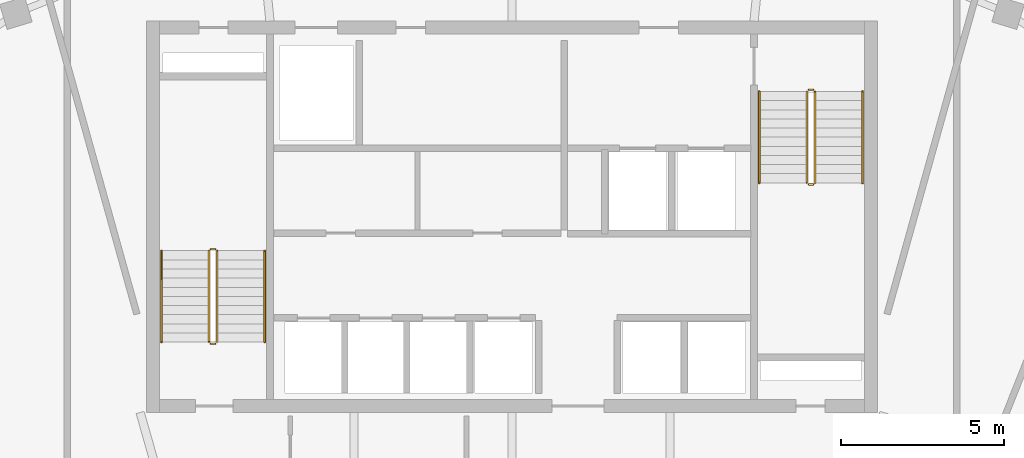
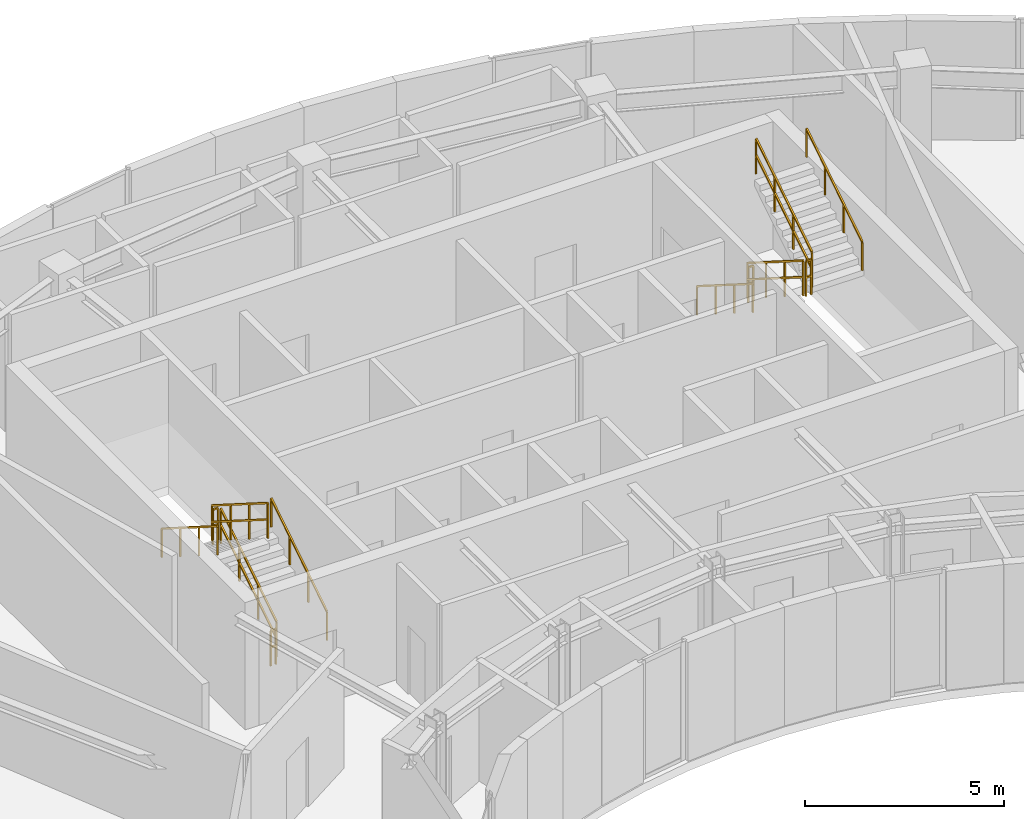
# One storey, part 9 of 9: 12 railings.
"""IFC4 building model written with IfcOpenShell, lengths in metres."""

from ifc_helpers import new_model, si_unit, direction, frame, origin, origin_2d, place, context, subcontext, project, spatial, rectangle, extrude, material, type_object, element, save


model = new_model("IFC4")

# Units and contexts
model_context = context("Model", 3, precision=1e-05, world=origin(), true_north=direction((0.0, 1.0)))
body_context = subcontext(model_context, "Body", "Model", "MODEL_VIEW")
ifc_project = project(units=[si_unit("LENGTHUNIT", "METRE"), si_unit("AREAUNIT", "SQUARE_METRE"), si_unit("VOLUMEUNIT", "CUBIC_METRE"), si_unit("PLANEANGLEUNIT", "RADIAN"), si_unit("MASSUNIT", "GRAM", prefix="KILO")], contexts=[model_context])

# Site, building, storey
site_placement = place(None, origin())
site = spatial("IfcSite", under=ifc_project, at=site_placement, CompositionType="ELEMENT")
building_placement = place(site_placement, origin())
building = spatial("IfcBuilding", under=site, at=building_placement, Name="Breltana Convention Tower", CompositionType="ELEMENT")
storey_placement = place(building_placement, frame((0.0, 0.0, 279.60009765625)))
storey = spatial("IfcBuildingStorey", under=building, at=storey_placement, Name="L68", CompositionType="ELEMENT", Elevation=279.60009765625)

# Railings
ifc_material_1 = material(Name="Steel S275 Painted", Category="steel")
railing_type_1 = type_object("IfcRailingType", Name="RL-STAIR-GUARD-1100", PredefinedType="GUARDRAIL", material=ifc_material_1)
railing_1_placement = place(storey_placement, frame((38.9599609375, 62.360107421875, 0.17724609375)))
element("IfcRailing", 1, at=railing_1_placement, inside=storey, type_object=railing_type_1, Name="L68 ST-1 stair guard 1", PredefinedType="GUARDRAIL", context=body_context, shape_type="SweptSolid", body=[
    extrude(rectangle(XDim=0.048095703125, YDim=0.048095703125, at=origin_2d()), frame((0.0, 0.0, 1.076171875), z_axis=(0.0, 0.844887892834, 0.53494340686), x_axis=(-1.0, 0.0, 0.0)), (0.0, 0.0, 1.0), 3.313720703125),
    extrude(rectangle(XDim=0.048095703125, YDim=0.048095703125, at=origin_2d()), frame((0.0, 0.0, 0.572021484375), z_axis=(0.0, 0.844887892834, 0.53494340686), x_axis=(-1.0, 0.0, 0.0)), (0.0, 0.0, 1.0), 3.313720703125),
    extrude(rectangle(XDim=0.0419921875, YDim=0.0419921875, at=origin_2d()), origin(), (0.0, 0.0, 1.0), 1.052001953125),
    extrude(rectangle(XDim=0.0419921875, YDim=0.0419921875, at=origin_2d()), frame((0.0, 0.933349609375, 0.5908203125)), (0.0, 0.0, 1.0), 1.052001953125),
    extrude(rectangle(XDim=0.0419921875, YDim=0.0419921875, at=origin_2d()), frame((0.0, 1.866455078125, 1.181884765625)), (0.0, 0.0, 1.0), 1.052001953125),
    extrude(rectangle(XDim=0.0419921875, YDim=0.0419921875, at=origin_2d()), frame((0.0, 2.7998046875, 1.772705078125)), (0.0, 0.0, 1.0), 1.052001953125),
])
railing_2_placement = place(storey_placement, frame((38.909912109375, 65.2099609375, 1.949951171875)))
element("IfcRailing", 2, at=railing_2_placement, inside=storey, type_object=railing_type_1, Name="L68 ST-1 stair guard 2", PredefinedType="GUARDRAIL", context=body_context, shape_type="SweptSolid", body=[
    extrude(rectangle(XDim=0.048095703125, YDim=0.048095703125, at=origin_2d()), frame((0.0, 0.0, 1.076171875), z_axis=(-1.0, 0.0, 0.0), x_axis=(0.0, -1.0, 0.0)), (0.0, 0.0, 1.0), 0.14990234375),
    extrude(rectangle(XDim=0.048095703125, YDim=0.048095703125, at=origin_2d()), frame((0.0, 0.0, 0.572021484375), z_axis=(-1.0, 0.0, 0.0), x_axis=(0.0, -1.0, 0.0)), (0.0, 0.0, 1.0), 0.14990234375),
    extrude(rectangle(XDim=0.0419921875, YDim=0.0419921875, at=origin_2d()), origin(), (0.0, 0.0, 1.0), 1.052001953125),
    extrude(rectangle(XDim=0.0419921875, YDim=0.0419921875, at=origin_2d()), frame((-0.14990234375, 0.0, 0.0)), (0.0, 0.0, 1.0), 1.052001953125),
])
railing_3_placement = place(storey_placement, frame((38.7099609375, 65.159912109375, 2.127197265625)))
element("IfcRailing", 3, at=railing_3_placement, inside=storey, type_object=railing_type_1, Name="L68 ST-1 stair guard 3", PredefinedType="GUARDRAIL", context=body_context, shape_type="SweptSolid", body=[
    extrude(rectangle(XDim=0.048095703125, YDim=0.048095703125, at=origin_2d()), frame((0.0, 0.0, 1.076171875), z_axis=(0.0, -0.844887892834, 0.53494340686), x_axis=(1.0, 0.0, 0.0)), (0.0, 0.0, 1.0), 3.313720703125),
    extrude(rectangle(XDim=0.048095703125, YDim=0.048095703125, at=origin_2d()), frame((0.0, 0.0, 0.572021484375), z_axis=(0.0, -0.844887892834, 0.53494340686), x_axis=(1.0, 0.0, 0.0)), (0.0, 0.0, 1.0), 3.313720703125),
    extrude(rectangle(XDim=0.0419921875, YDim=0.0419921875, at=origin_2d()), origin(), (0.0, 0.0, 1.0), 1.052001953125),
    extrude(rectangle(XDim=0.0419921875, YDim=0.0419921875, at=origin_2d()), frame((0.0, -0.933349609375, 0.5908203125)), (0.0, 0.0, 1.0), 1.052001953125),
    extrude(rectangle(XDim=0.0419921875, YDim=0.0419921875, at=origin_2d()), frame((0.0, -1.866455078125, 1.181884765625)), (0.0, 0.0, 1.0), 1.052001953125),
    extrude(rectangle(XDim=0.0419921875, YDim=0.0419921875, at=origin_2d()), frame((0.0, -2.7998046875, 1.772705078125)), (0.0, 0.0, 1.0), 1.052001953125),
])
railing_4_placement = place(storey_placement, frame((38.909912109375, 62.31005859375, 0.0)))
element("IfcRailing", 4, at=railing_4_placement, inside=storey, type_object=railing_type_1, Name="L68 ST-1 stair guard 4", PredefinedType="GUARDRAIL", context=body_context, shape_type="SweptSolid", body=[
    extrude(rectangle(XDim=0.048095703125, YDim=0.048095703125, at=origin_2d()), frame((0.0, 0.0, 1.076171875), z_axis=(-1.0, 0.0, 0.0), x_axis=(0.0, -1.0, 0.0)), (0.0, 0.0, 1.0), 0.14990234375),
    extrude(rectangle(XDim=0.048095703125, YDim=0.048095703125, at=origin_2d()), frame((0.0, 0.0, 0.572021484375), z_axis=(-1.0, 0.0, 0.0), x_axis=(0.0, -1.0, 0.0)), (0.0, 0.0, 1.0), 0.14990234375),
    extrude(rectangle(XDim=0.0419921875, YDim=0.0419921875, at=origin_2d()), origin(), (0.0, 0.0, 1.0), 1.052001953125),
    extrude(rectangle(XDim=0.0419921875, YDim=0.0419921875, at=origin_2d()), frame((-0.14990234375, 0.0, 0.0)), (0.0, 0.0, 1.0), 1.052001953125),
])
railing_5_placement = place(storey_placement, frame((57.0400390625, 70.0400390625, 0.17724609375)))
element("IfcRailing", 5, at=railing_5_placement, inside=storey, type_object=railing_type_1, Name="L68 ST-2 stair guard 1", PredefinedType="GUARDRAIL", context=body_context, shape_type="SweptSolid", body=[
    extrude(rectangle(XDim=0.048095703125, YDim=0.048095703125, at=origin_2d()), frame((0.0, 0.0, 1.076171875), z_axis=(0.0, -0.844908973607, 0.534910110503), x_axis=(1.0, 0.0, 0.0)), (0.0, 0.0, 1.0), 3.31396484375),
    extrude(rectangle(XDim=0.048095703125, YDim=0.048095703125, at=origin_2d()), frame((0.0, 0.0, 0.572021484375), z_axis=(0.0, -0.844908973607, 0.534910110503), x_axis=(1.0, 0.0, 0.0)), (0.0, 0.0, 1.0), 3.31396484375),
    extrude(rectangle(XDim=0.0419921875, YDim=0.0419921875, at=origin_2d()), origin(), (0.0, 0.0, 1.0), 1.052001953125),
    extrude(rectangle(XDim=0.0419921875, YDim=0.0419921875, at=origin_2d()), frame((0.0, -0.933349609375, 0.5908203125)), (0.0, 0.0, 1.0), 1.052001953125),
    extrude(rectangle(XDim=0.0419921875, YDim=0.0419921875, at=origin_2d()), frame((0.0, -1.86669921875, 1.181884765625)), (0.0, 0.0, 1.0), 1.052001953125),
    extrude(rectangle(XDim=0.0419921875, YDim=0.0419921875, at=origin_2d()), frame((0.0, -2.800048828125, 1.772705078125)), (0.0, 0.0, 1.0), 1.052001953125),
])
railing_6_placement = place(storey_placement, frame((57.090087890625, 67.18994140625, 1.949951171875)))
element("IfcRailing", 6, at=railing_6_placement, inside=storey, type_object=railing_type_1, Name="L68 ST-2 stair guard 2", PredefinedType="GUARDRAIL", context=body_context, shape_type="SweptSolid", body=[
    extrude(rectangle(XDim=0.048095703125, YDim=0.048095703125, at=origin_2d()), frame((0.0, 0.0, 1.076171875), z_axis=(1.0, 0.0, 0.0), x_axis=(0.0, 1.0, 0.0)), (0.0, 0.0, 1.0), 0.14990234375),
    extrude(rectangle(XDim=0.048095703125, YDim=0.048095703125, at=origin_2d()), frame((0.0, 0.0, 0.572021484375), z_axis=(1.0, 0.0, 0.0), x_axis=(0.0, 1.0, 0.0)), (0.0, 0.0, 1.0), 0.14990234375),
    extrude(rectangle(XDim=0.0419921875, YDim=0.0419921875, at=origin_2d()), origin(), (0.0, 0.0, 1.0), 1.052001953125),
    extrude(rectangle(XDim=0.0419921875, YDim=0.0419921875, at=origin_2d()), frame((0.14990234375, 0.0, 0.0)), (0.0, 0.0, 1.0), 1.052001953125),
])
railing_7_placement = place(storey_placement, frame((57.2900390625, 67.239990234375, 2.127197265625)))
element("IfcRailing", 7, at=railing_7_placement, inside=storey, type_object=railing_type_1, Name="L68 ST-2 stair guard 3", PredefinedType="GUARDRAIL", context=body_context, shape_type="SweptSolid", body=[
    extrude(rectangle(XDim=0.048095703125, YDim=0.048095703125, at=origin_2d()), frame((0.0, 0.0, 1.076171875), z_axis=(0.0, 0.844908973607, 0.534910110503), x_axis=(-1.0, 0.0, 0.0)), (0.0, 0.0, 1.0), 3.31396484375),
    extrude(rectangle(XDim=0.048095703125, YDim=0.048095703125, at=origin_2d()), frame((0.0, 0.0, 0.572021484375), z_axis=(0.0, 0.844908973607, 0.534910110503), x_axis=(-1.0, 0.0, 0.0)), (0.0, 0.0, 1.0), 3.31396484375),
    extrude(rectangle(XDim=0.0419921875, YDim=0.0419921875, at=origin_2d()), origin(), (0.0, 0.0, 1.0), 1.052001953125),
    extrude(rectangle(XDim=0.0419921875, YDim=0.0419921875, at=origin_2d()), frame((0.0, 0.933349609375, 0.5908203125)), (0.0, 0.0, 1.0), 1.052001953125),
    extrude(rectangle(XDim=0.0419921875, YDim=0.0419921875, at=origin_2d()), frame((0.0, 1.86669921875, 1.181884765625)), (0.0, 0.0, 1.0), 1.052001953125),
    extrude(rectangle(XDim=0.0419921875, YDim=0.0419921875, at=origin_2d()), frame((0.0, 2.800048828125, 1.772705078125)), (0.0, 0.0, 1.0), 1.052001953125),
])
railing_8_placement = place(storey_placement, frame((57.090087890625, 70.090087890625, 0.0)))
element("IfcRailing", 8, at=railing_8_placement, inside=storey, type_object=railing_type_1, Name="L68 ST-2 stair guard 4", PredefinedType="GUARDRAIL", context=body_context, shape_type="SweptSolid", body=[
    extrude(rectangle(XDim=0.048095703125, YDim=0.048095703125, at=origin_2d()), frame((0.0, 0.0, 1.076171875), z_axis=(1.0, 0.0, 0.0), x_axis=(0.0, 1.0, 0.0)), (0.0, 0.0, 1.0), 0.14990234375),
    extrude(rectangle(XDim=0.048095703125, YDim=0.048095703125, at=origin_2d()), frame((0.0, 0.0, 0.572021484375), z_axis=(1.0, 0.0, 0.0), x_axis=(0.0, 1.0, 0.0)), (0.0, 0.0, 1.0), 0.14990234375),
    extrude(rectangle(XDim=0.0419921875, YDim=0.0419921875, at=origin_2d()), origin(), (0.0, 0.0, 1.0), 1.052001953125),
    extrude(rectangle(XDim=0.0419921875, YDim=0.0419921875, at=origin_2d()), frame((0.14990234375, 0.0, 0.0)), (0.0, 0.0, 1.0), 1.052001953125),
])
ifc_material_2 = material(Name="Stainless Steel 316L", Category="steel")
railing_type_2 = type_object("IfcRailingType", Name="RL-STAIR-HANDRAIL-900", PredefinedType="HANDRAIL", material=ifc_material_2)
railing_9_placement = place(storey_placement, frame((40.419921875, 62.360107421875, 0.17724609375)))
element("IfcRailing", 9, at=railing_9_placement, inside=storey, type_object=railing_type_2, Name="L68 ST-1 stair handrail 1", PredefinedType="HANDRAIL", context=body_context, shape_type="SweptSolid", body=[
    extrude(rectangle(XDim=0.048095703125, YDim=0.048095703125, at=origin_2d()), frame((0.0, 0.0, 0.8759765625), z_axis=(0.0, 0.844887892834, 0.53494340686), x_axis=(-1.0, 0.0, 0.0)), (0.0, 0.0, 1.0), 3.313720703125),
    extrude(rectangle(XDim=0.0419921875, YDim=0.0419921875, at=origin_2d()), origin(), (0.0, 0.0, 1.0), 0.851806640625),
    extrude(rectangle(XDim=0.0419921875, YDim=0.0419921875, at=origin_2d()), frame((0.0, 0.933349609375, 0.5908203125)), (0.0, 0.0, 1.0), 0.851806640625),
    extrude(rectangle(XDim=0.0419921875, YDim=0.0419921875, at=origin_2d()), frame((0.0, 1.866455078125, 1.181884765625)), (0.0, 0.0, 1.0), 0.851806640625),
    extrude(rectangle(XDim=0.0419921875, YDim=0.0419921875, at=origin_2d()), frame((0.0, 2.7998046875, 1.772705078125)), (0.0, 0.0, 1.0), 0.851806640625),
])
railing_10_placement = place(storey_placement, frame((37.25, 65.159912109375, 2.127197265625)))
element("IfcRailing", 10, at=railing_10_placement, inside=storey, type_object=railing_type_2, Name="L68 ST-1 stair handrail 2", PredefinedType="HANDRAIL", context=body_context, shape_type="SweptSolid", body=[
    extrude(rectangle(XDim=0.048095703125, YDim=0.048095703125, at=origin_2d()), frame((0.0, 0.0, 0.8759765625), z_axis=(0.0, -0.844887892834, 0.53494340686), x_axis=(1.0, 0.0, 0.0)), (0.0, 0.0, 1.0), 3.313720703125),
    extrude(rectangle(XDim=0.0419921875, YDim=0.0419921875, at=origin_2d()), origin(), (0.0, 0.0, 1.0), 0.851806640625),
    extrude(rectangle(XDim=0.0419921875, YDim=0.0419921875, at=origin_2d()), frame((0.0, -0.933349609375, 0.5908203125)), (0.0, 0.0, 1.0), 0.851806640625),
    extrude(rectangle(XDim=0.0419921875, YDim=0.0419921875, at=origin_2d()), frame((0.0, -1.866455078125, 1.181884765625)), (0.0, 0.0, 1.0), 0.851806640625),
    extrude(rectangle(XDim=0.0419921875, YDim=0.0419921875, at=origin_2d()), frame((0.0, -2.7998046875, 1.772705078125)), (0.0, 0.0, 1.0), 0.851806640625),
])
railing_11_placement = place(storey_placement, frame((55.580078125, 70.0400390625, 0.17724609375)))
element("IfcRailing", 11, at=railing_11_placement, inside=storey, type_object=railing_type_2, Name="L68 ST-2 stair handrail 1", PredefinedType="HANDRAIL", context=body_context, shape_type="SweptSolid", body=[
    extrude(rectangle(XDim=0.048095703125, YDim=0.048095703125, at=origin_2d()), frame((0.0, 0.0, 0.8759765625), z_axis=(0.0, -0.844908973607, 0.534910110503), x_axis=(1.0, 0.0, 0.0)), (0.0, 0.0, 1.0), 3.31396484375),
    extrude(rectangle(XDim=0.0419921875, YDim=0.0419921875, at=origin_2d()), origin(), (0.0, 0.0, 1.0), 0.851806640625),
    extrude(rectangle(XDim=0.0419921875, YDim=0.0419921875, at=origin_2d()), frame((0.0, -0.933349609375, 0.5908203125)), (0.0, 0.0, 1.0), 0.851806640625),
    extrude(rectangle(XDim=0.0419921875, YDim=0.0419921875, at=origin_2d()), frame((0.0, -1.86669921875, 1.181884765625)), (0.0, 0.0, 1.0), 0.851806640625),
    extrude(rectangle(XDim=0.0419921875, YDim=0.0419921875, at=origin_2d()), frame((0.0, -2.800048828125, 1.772705078125)), (0.0, 0.0, 1.0), 0.851806640625),
])
railing_12_placement = place(storey_placement, frame((58.75, 67.239990234375, 2.127197265625)))
element("IfcRailing", 12, at=railing_12_placement, inside=storey, type_object=railing_type_2, Name="L68 ST-2 stair handrail 2", PredefinedType="HANDRAIL", context=body_context, shape_type="SweptSolid", body=[
    extrude(rectangle(XDim=0.048095703125, YDim=0.048095703125, at=origin_2d()), frame((0.0, 0.0, 0.8759765625), z_axis=(0.0, 0.844908973607, 0.534910110503), x_axis=(-1.0, 0.0, 0.0)), (0.0, 0.0, 1.0), 3.31396484375),
    extrude(rectangle(XDim=0.0419921875, YDim=0.0419921875, at=origin_2d()), origin(), (0.0, 0.0, 1.0), 0.851806640625),
    extrude(rectangle(XDim=0.0419921875, YDim=0.0419921875, at=origin_2d()), frame((0.0, 0.933349609375, 0.5908203125)), (0.0, 0.0, 1.0), 0.851806640625),
    extrude(rectangle(XDim=0.0419921875, YDim=0.0419921875, at=origin_2d()), frame((0.0, 1.86669921875, 1.181884765625)), (0.0, 0.0, 1.0), 0.851806640625),
    extrude(rectangle(XDim=0.0419921875, YDim=0.0419921875, at=origin_2d()), frame((0.0, 2.800048828125, 1.772705078125)), (0.0, 0.0, 1.0), 0.851806640625),
])

save(model, "model.ifc")
